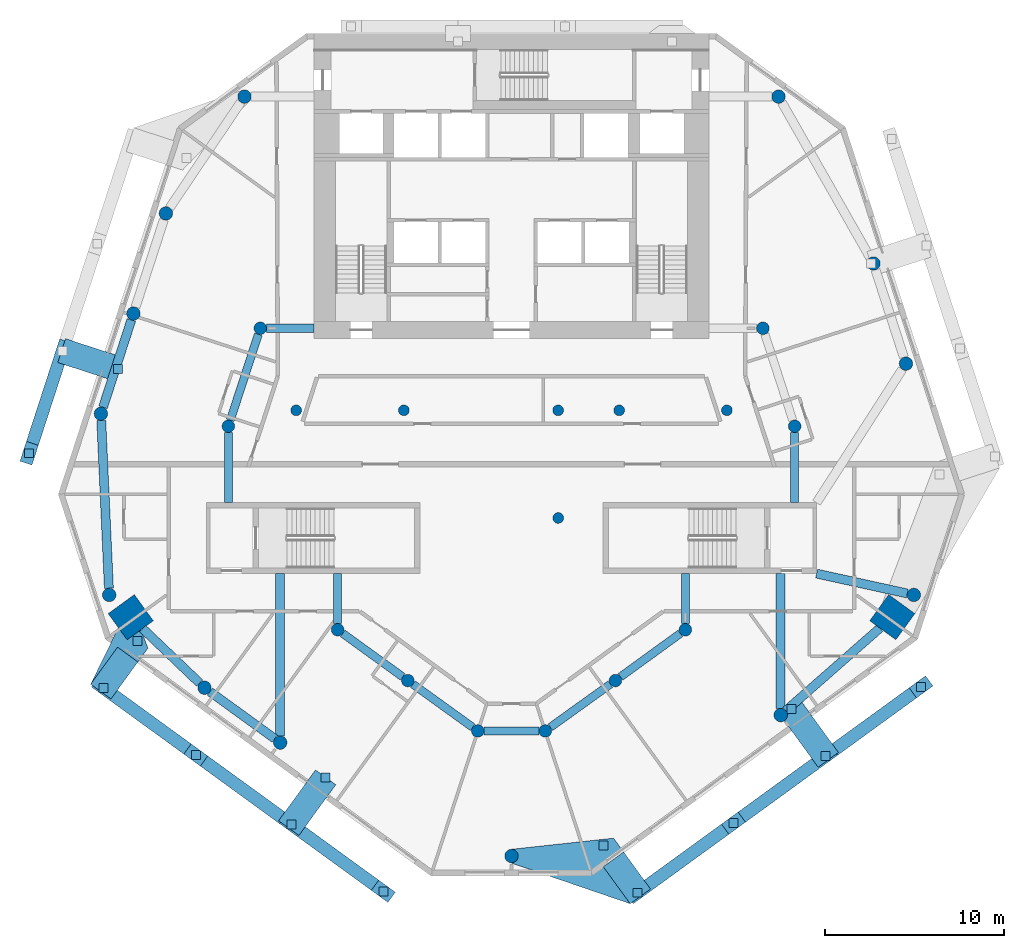
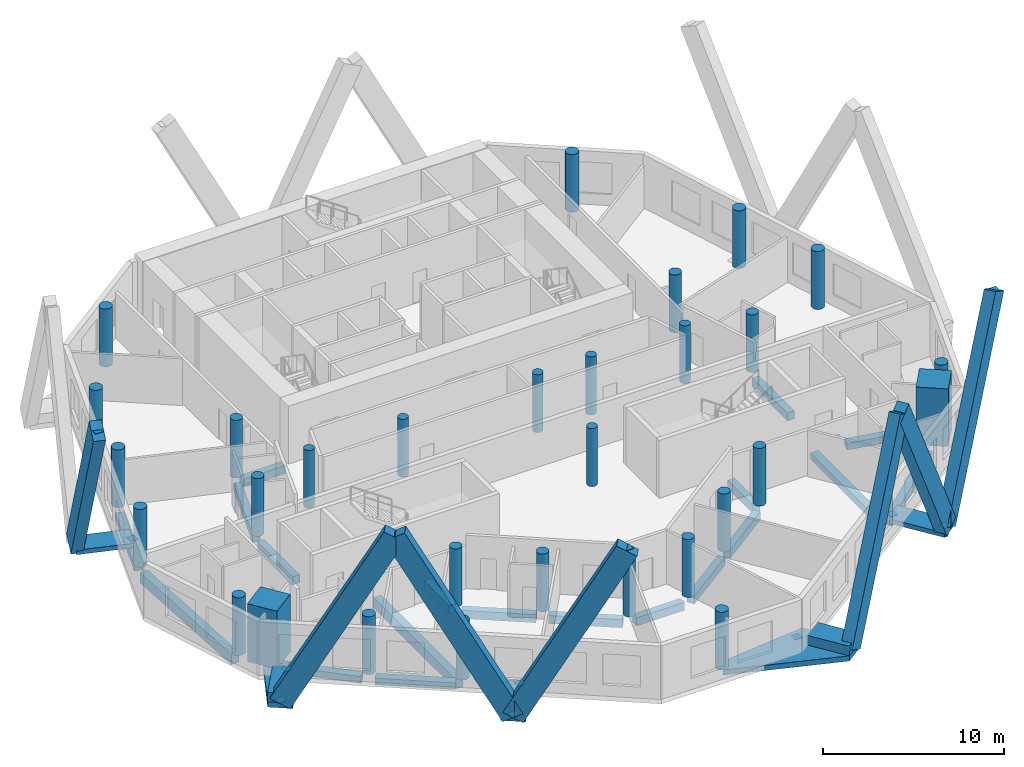
# One storey, part 1 of 10: 31 columns, 19 beams, 14 discrete accessories, 14 members.
"""IFC4 building model written with IfcOpenShell, lengths in metres."""

from ifc_helpers import new_model, si_unit, direction, frame, origin, origin_2d, place, context, subcontext, project, spatial, polyline, rectangle, circle, outline, extrude, material, layer, layer_set, material_profile, profile_set, type_object, element, aggregate, save


model = new_model("IFC4")

# Units and contexts
model_context = context("Model", 3, precision=1e-05, world=origin(), true_north=direction((0.0, 1.0)))
body_context = subcontext(model_context, "Body", "Model", "MODEL_VIEW")
ifc_project = project(units=[si_unit("LENGTHUNIT", "METRE"), si_unit("AREAUNIT", "SQUARE_METRE"), si_unit("VOLUMEUNIT", "CUBIC_METRE"), si_unit("PLANEANGLEUNIT", "RADIAN"), si_unit("MASSUNIT", "GRAM", prefix="KILO")], contexts=[model_context])

# Site, building, storey
site_placement = place(None, origin())
site = spatial("IfcSite", under=ifc_project, at=site_placement, CompositionType="ELEMENT")
building_placement = place(site_placement, origin())
building = spatial("IfcBuilding", under=site, at=building_placement, Name="White Candle Pilgrim Tower", CompositionType="ELEMENT")
storey_placement = place(building_placement, frame((0.0, 0.0, 172.0)))
storey = spatial("IfcBuildingStorey", under=building, at=storey_placement, Name="L39", CompositionType="ELEMENT", Elevation=172.0)

# Columns
ifc_material_1 = material(Name="Concrete C70/85", Category="concrete")
ifc_material_profile_1 = material_profile(ifc_material_1, circle(Radius=0.300048828125, at=origin_2d()), Name="RC-COL D600")
ifc_profile_set_1 = profile_set([ifc_material_profile_1], Name="Concrete C70/85")
column_type_1 = type_object("IfcColumnType", Name="Interior column RC-COL D600 C70/85", PredefinedType="COLUMN", material=ifc_profile_set_1)
for number, where, z_axis, x_axis, name in (
    (1, (58.0, 67.0, 0.0), (0.0, 0.0, 1.0), (1.0, 0.0, 0.0), "L39 column I01"),
    (2, (64.0, 67.0, 0.0), (0.0, 0.0, 1.0), (1.0, 0.0, 0.0), "L39 column I02"),
    (3, (72.60009765625, 61.0, 0.0), (0.0, 0.0, 1.0), (1.0, 0.0, 0.0), "L39 column I03"),
    (4, (72.60009765625, 67.0, 0.0), (0.0, 0.0, 1.0), (1.0, 0.0, 0.0), "L39 column I04"),
    (5, (76.0, 67.0, 0.0), (0.0, 0.0, 1.0), (1.0, 0.0, 0.0), "L39 column I05"),
    (6, (82.0, 67.0, 0.0), (0.0, 0.0, 1.0), (1.0, 0.0, 0.0), "L39 column I06"),
):
    element("IfcColumn", number, at=place(storey_placement, frame(where, z_axis=z_axis, x_axis=x_axis)), inside=storey, type_object=column_type_1, Name=name, PredefinedType="COLUMN", context=body_context, shape_type="SweptSolid", body=[
        extrude(circle(Radius=0.300048828125, at=origin_2d()), origin(), (0.0, 0.0, 1.0), 3.89990234375),
    ])
ifc_material_profile_2 = material_profile(ifc_material_1, rectangle(XDim=1.800048828125, YDim=1.800048828125, at=origin_2d()), Name="RC 1800x1800")
ifc_profile_set_2 = profile_set([ifc_material_profile_2], Name="Concrete C70/85")
column_type_2 = type_object("IfcColumnType", Name="Mega column RC 1800x1800 C70/85", PredefinedType="COLUMN", material=ifc_profile_set_2)
for number, where, z_axis, x_axis, name in (
    (7, (48.780029296875, 55.469970703125, 0.0), (0.0, 0.0, 1.0), (-0.809016994375, -0.587785252292, 0.0), "L39 mega column T02"),
    (8, (91.219970703125, 55.469970703125, 0.0), (0.0, 0.0, 1.0), (0.809016994375, -0.587785252292, 0.0), "L39 mega column T07"),
):
    element("IfcColumn", number, at=place(storey_placement, frame(where, z_axis=z_axis, x_axis=x_axis)), inside=storey, type_object=column_type_2, Name=name, PredefinedType="COLUMN", context=body_context, shape_type="SweptSolid", body=[
        extrude(rectangle(XDim=1.800048828125, YDim=1.800048828125, at=origin_2d()), origin(), (0.0, 0.0, 1.0), 3.89990234375),
    ])
ifc_material_profile_3 = material_profile(ifc_material_1, circle(Radius=0.375, at=origin_2d()), Name="RC-COL D750")
ifc_profile_set_3 = profile_set([ifc_material_profile_3], Name="Concrete C70/85")
column_type_3 = type_object("IfcColumnType", Name="Perimeter column RC-COL D750 C70/85", PredefinedType="COLUMN", material=ifc_profile_set_3)
for number, where, z_axis, x_axis, name in (
    (9, (47.580078125, 56.7099609375, 0.0), (0.0, 0.0, 1.0), (1.0, 0.0, 0.0), "L39 column T01"),
    (10, (52.889892578125, 51.5400390625, 0.0), (0.0, 0.0, 1.0), (1.0, 0.0, 0.0), "L39 column T03"),
    (11, (57.110107421875, 48.47998046875, 0.0), (0.0, 0.0, 1.0), (1.0, 0.0, 0.0), "L39 column T04"),
    (12, (70.0, 42.159912109375, 0.0), (0.0, 0.0, 1.0), (1.0, 0.0, 0.0), "L39 column T05"),
    (13, (85.0, 50.010009765625, 0.0), (0.0, 0.0, 1.0), (1.0, 0.0, 0.0), "L39 column T06"),
    (14, (92.419921875, 56.7099609375, 0.0), (0.0, 0.0, 1.0), (1.0, 0.0, 0.0), "L39 column T08"),
    (15, (91.97998046875, 69.60009765625, 0.0), (0.0, 0.0, 1.0), (1.0, 0.0, 0.0), "L39 column T09"),
    (16, (90.169921875, 75.179931640625, 0.0), (0.0, 0.0, 1.0), (1.0, 0.0, 0.0), "L39 column T10"),
    (17, (84.8798828125, 84.47998046875, 0.0), (0.0, 0.0, 1.0), (1.0, 0.0, 0.0), "L39 column T11"),
    (18, (55.1201171875, 84.47998046875, 0.0), (0.0, 0.0, 1.0), (1.0, 0.0, 0.0), "L39 column T12"),
    (19, (50.739990234375, 77.969970703125, 0.0), (0.0, 0.0, 1.0), (1.0, 0.0, 0.0), "L39 column T13"),
    (20, (48.929931640625, 72.389892578125, 0.0), (0.0, 0.0, 1.0), (1.0, 0.0, 0.0), "L39 column T14"),
    (21, (47.1201171875, 66.81005859375, 0.0), (0.0, 0.0, 1.0), (1.0, 0.0, 0.0), "L39 column T15"),
):
    element("IfcColumn", number, at=place(storey_placement, frame(where, z_axis=z_axis, x_axis=x_axis)), inside=storey, type_object=column_type_3, Name=name, PredefinedType="COLUMN", context=body_context, shape_type="SweptSolid", body=[
        extrude(circle(Radius=0.375, at=origin_2d()), origin(), (0.0, 0.0, 1.0), 3.89990234375),
    ])
ifc_material_profile_4 = material_profile(ifc_material_1, circle(Radius=0.35009765625, at=origin_2d()), Name="RC-COL D700")
ifc_profile_set_4 = profile_set([ifc_material_profile_4], Name="Concrete C70/85")
column_type_4 = type_object("IfcColumnType", Name="Ring column RC-COL D700 C70/85", PredefinedType="COLUMN", material=ifc_profile_set_4)
for number, where, z_axis, x_axis, name in (
    (22, (60.31005859375, 54.77001953125, 0.0), (0.0, 0.0, 1.0), (1.0, 0.0, 0.0), "L39 column R01"),
    (23, (64.219970703125, 51.93994140625, 0.0), (0.0, 0.0, 1.0), (1.0, 0.0, 0.0), "L39 column R02"),
    (24, (68.1201171875, 49.1298828125, 0.0), (0.0, 0.0, 1.0), (1.0, 0.0, 0.0), "L39 column R03"),
    (25, (71.8798828125, 49.1298828125, 0.0), (0.0, 0.0, 1.0), (1.0, 0.0, 0.0), "L39 column R04"),
    (26, (75.7900390625, 51.93994140625, 0.0), (0.0, 0.0, 1.0), (1.0, 0.0, 0.0), "L39 column R05"),
    (27, (79.68994140625, 54.77001953125, 0.0), (0.0, 0.0, 1.0), (1.0, 0.0, 0.0), "L39 column R06"),
    (28, (85.780029296875, 66.110107421875, 0.0), (0.0, 0.0, 1.0), (1.0, 0.0, 0.0), "L39 column R07"),
    (29, (84.010009765625, 71.570068359375, 0.0), (0.0, 0.0, 1.0), (1.0, 0.0, 0.0), "L39 column R08"),
    (30, (56.0, 71.570068359375, 0.0), (0.0, 0.0, 1.0), (1.0, 0.0, 0.0), "L39 column R09"),
    (31, (54.219970703125, 66.110107421875, 0.0), (0.0, 0.0, 1.0), (1.0, 0.0, 0.0), "L39 column R10"),
):
    element("IfcColumn", number, at=place(storey_placement, frame(where, z_axis=z_axis, x_axis=x_axis)), inside=storey, type_object=column_type_4, Name=name, PredefinedType="COLUMN", context=body_context, shape_type="SweptSolid", body=[
        extrude(circle(Radius=0.35009765625, at=origin_2d()), origin(), (0.0, 0.0, 1.0), 3.89990234375),
    ])

# Member
ifc_material_2 = material(Name="Concrete C70/85, white", Category="concrete")
ifc_material_profile_5 = material_profile(ifc_material_2, rectangle(XDim=0.699951171875, YDim=1.300048828125, at=origin_2d()), Name="RC-DG 700x1300")
ifc_profile_set_5 = profile_set([ifc_material_profile_5], Name="Concrete C70/85, white")
member_type_1 = type_object("IfcMemberType", Name="Exoskeleton diagonal RC-DG 700x1300 C70/85", PredefinedType="BRACE", material=ifc_profile_set_5)
member_1_placement = place(storey_placement, frame((77.03173828125, 40.114501953125, 0.0), z_axis=(0.397425653044, 0.28873611654, 0.871024859179), x_axis=(-0.587771232927, 0.809027179855, 0.0)))
member_1 = element("IfcMember", 32, at=member_1_placement, inside=storey, type_object=member_type_1, Name="Exoskeleton diagonal EX151", PredefinedType="BRACE", context=body_context, shape_type="SweptSolid", body=[
    extrude(rectangle(XDim=0.699951171875, YDim=1.300048828125, at=origin_2d()), origin(), (0.0, 0.0, 1.0), 13.432373046875),
])

member_2_placement = place(storey_placement, frame((87.504150390625, 47.722900390625, 0.0), z_axis=(-0.385723367101, -0.280235940966, 0.879025199561), x_axis=(0.587773598304, -0.809025461365, 0.0)))
member_2 = element("IfcMember", 33, at=member_2_placement, inside=storey, type_object=member_type_1, Name="Exoskeleton diagonal EX152", PredefinedType="BRACE", context=body_context, shape_type="SweptSolid", body=[
    extrude(rectangle(XDim=0.699951171875, YDim=1.300048828125, at=origin_2d()), origin(), (0.0, 0.0, 1.0), 13.31005859375),
])

member_3_placement = place(storey_placement, frame((87.504150390625, 47.722900390625, 0.0), z_axis=(0.396179874444, 0.287856262558, 0.871883179785), x_axis=(-0.587804945667, 0.809002685934, 0.0)))
member_3 = element("IfcMember", 34, at=member_3_placement, inside=storey, type_object=member_type_1, Name="Exoskeleton diagonal EX153", PredefinedType="BRACE", context=body_context, shape_type="SweptSolid", body=[
    extrude(rectangle(XDim=0.699951171875, YDim=1.300048828125, at=origin_2d()), origin(), (0.0, 0.0, 1.0), 13.419189453125),
])

member_4_placement = place(storey_placement, frame((47.259765625, 51.52734375, 0.0), z_axis=(0.386360074568, -0.280704142626, 0.878596083017), x_axis=(0.587781301557, 0.809019864738, 0.0)))
member_4 = element("IfcMember", 35, at=member_4_placement, inside=storey, type_object=member_type_1, Name="Exoskeleton diagonal EX163", PredefinedType="BRACE", context=body_context, shape_type="SweptSolid", body=[
    extrude(rectangle(XDim=0.699951171875, YDim=1.300048828125, at=origin_2d()), origin(), (0.0, 0.0, 1.0), 13.316650390625),
])

member_5_placement = place(storey_placement, frame((57.73193359375, 43.918701171875, 0.0), z_axis=(-0.396787900976, 0.288298596795, 0.87146042981), x_axis=(-0.587805685587, -0.809002148323, 0.0)))
member_5 = element("IfcMember", 36, at=member_5_placement, inside=storey, type_object=member_type_1, Name="Exoskeleton diagonal EX164", PredefinedType="BRACE", context=body_context, shape_type="SweptSolid", body=[
    extrude(rectangle(XDim=0.699951171875, YDim=1.300048828125, at=origin_2d()), origin(), (0.0, 0.0, 1.0), 13.42578125),
])

member_6_placement = place(storey_placement, frame((57.73193359375, 43.918701171875, 0.0), z_axis=(0.385099378192, -0.279781992848, 0.879443292881), x_axis=(0.587772763146, 0.809026068124, 0.0)))
member_6 = element("IfcMember", 37, at=member_6_placement, inside=storey, type_object=member_type_1, Name="Exoskeleton diagonal EX165", PredefinedType="BRACE", context=body_context, shape_type="SweptSolid", body=[
    extrude(rectangle(XDim=0.699951171875, YDim=1.300048828125, at=origin_2d()), origin(), (0.0, 0.0, 1.0), 13.3037109375),
])

member_7_placement = place(storey_placement, frame((44.97412109375, 70.311279296875, 0.0), z_axis=(-0.140972224845, -0.433909240014, 0.889859316551), x_axis=(0.951065169444, -0.308990361452, 0.0)))
member_7 = element("IfcMember", 38, at=member_7_placement, inside=storey, type_object=member_type_1, Name="Exoskeleton diagonal EX177", PredefinedType="BRACE", context=body_context, shape_type="SweptSolid", body=[
    extrude(rectangle(XDim=0.699951171875, YDim=1.300048828125, at=origin_2d()), origin(), (0.0, 0.0, 1.0), 13.148193359375),
])

ifc_layer_1 = layer(ifc_material_2, 0.300048828125)
ifc_layer_set_1 = layer_set([ifc_layer_1], Name="Node tie strut 3300x1400x300 C70/85")
member_type_2 = type_object("IfcMemberType", Name="Node tie strut 3300x1400x300 C70/85", PredefinedType="STRUT", material=ifc_layer_set_1)
member_8_placement = place(storey_placement, frame((46.495849609375, 69.81689453125, -0.2998046875), z_axis=(0.0, 0.0, 1.0), x_axis=(-0.309016994375, -0.951056516295, 0.0)))
member_8 = element("IfcMember", 39, at=member_8_placement, inside=storey, type_object=member_type_2, Name="Node tie strut NC130", PredefinedType="STRUT", context=body_context, shape_type="SweptSolid", body=[
    extrude(rectangle(XDim=1.39990234375, YDim=3.300048828125, at=origin_2d()), origin(), (0.0, 0.0, 1.0), 0.300048828125),
])

ifc_layer_2 = layer(ifc_material_2, 0.300048828125)
ifc_layer_set_2 = layer_set([ifc_layer_2], Name="Node tie strut 3500x1400x300 C70/85")
member_type_3 = type_object("IfcMemberType", Name="Node tie strut 3500x1400x300 C70/85", PredefinedType="STRUT", material=ifc_layer_set_2)
member_9_placement = place(storey_placement, frame((0.0, 0.0, -0.35009765625)))
member_9 = element("IfcMember", 40, at=member_9_placement, inside=storey, type_object=member_type_3, Name="Node tie strut NC125", PredefinedType="STRUT", context=body_context, shape_type="SweptSolid", body=[
    extrude(outline(polyline([(76.6123046875, 39.500732421875), (77.7451171875, 40.32373046875), (75.687744140625, 43.1552734375), (69.951171875, 42.53173828125), (69.9755859375, 42.5341796875), (70.0, 42.534912109375), (70.0244140625, 42.5341796875), (70.048828125, 42.53173828125), (70.0732421875, 42.52783203125), (70.09716796875, 42.522216796875), (70.12060546875, 42.51513671875), (70.1435546875, 42.506591796875), (70.166015625, 42.496337890625), (70.1875, 42.48486328125), (70.208251953125, 42.4716796875), (70.228271484375, 42.45751953125), (70.247314453125, 42.44189453125), (70.26513671875, 42.42529296875), (70.281982421875, 42.4072265625), (70.297607421875, 42.38818359375), (70.311767578125, 42.368408203125), (70.32470703125, 42.347412109375), (70.336181640625, 42.325927734375), (70.346435546875, 42.303466796875), (70.35498046875, 42.280517578125), (70.3623046875, 42.257080078125), (70.367919921875, 42.233154296875), (70.371826171875, 42.208984375), (70.374267578125, 42.1845703125), (70.375, 42.159912109375), (70.374267578125, 42.135498046875), (70.371826171875, 42.111083984375), (70.367919921875, 42.0869140625), (70.3623046875, 42.06298828125), (70.35498046875, 42.03955078125), (70.346435546875, 42.0166015625), (70.336181640625, 41.994140625), (70.32470703125, 41.972412109375), (70.311767578125, 41.95166015625), (70.297607421875, 41.931640625), (70.281982421875, 41.91259765625), (70.26513671875, 41.894775390625), (70.247314453125, 41.878173828125), (70.228271484375, 41.862548828125), (70.208251953125, 41.84814453125), (70.1875, 41.835205078125), (70.166015625, 41.82373046875), (70.1435546875, 41.8134765625), (70.12060546875, 41.804931640625), (70.09716796875, 41.7978515625), (70.0732421875, 41.792236328125), (70.048828125, 41.7880859375), (70.0244140625, 41.785888671875), (70.0, 41.784912109375), (69.9755859375, 41.785888671875), (69.951171875, 41.7880859375), (69.9267578125, 41.792236328125), (69.90283203125, 41.7978515625), (69.87939453125, 41.804931640625), (76.6123046875, 39.500732421875)])), origin(), (0.0, 0.0, 1.0), 0.35009765625),
])

member_10_placement = place(storey_placement, origin())
element("IfcMember", 41, at=member_10_placement, inside=storey, type_object=member_type_3, Name="Node tie strut NC125", PredefinedType="STRUT", context=body_context, shape_type="SweptSolid", body=[
    extrude(outline(polyline([(76.6123046875, 39.500732421875), (77.7451171875, 40.32373046875), (76.24609375, 42.38671875), (75.113525390625, 41.563720703125), (76.6123046875, 39.500732421875)])), origin(), (0.0, 0.0, 1.0), 0.64990234375),
])

member_11_placement = place(storey_placement, frame((86.622314453125, 48.9365234375, -0.2998046875), z_axis=(0.0, 0.0, 1.0), x_axis=(0.809016994375, 0.587785252292, 0.0)))
member_11 = element("IfcMember", 42, at=member_11_placement, inside=storey, type_object=member_type_3, Name="Node tie strut NC126", PredefinedType="STRUT", context=body_context, shape_type="SweptSolid", body=[
    extrude(rectangle(XDim=1.39990234375, YDim=3.5, at=origin_2d()), origin(), (0.0, 0.0, 1.0), 0.300048828125),
])

member_12_placement = place(storey_placement, frame((0.0, 0.0, -0.35009765625)))
member_12 = element("IfcMember", 43, at=member_12_placement, inside=storey, type_object=member_type_3, Name="Node tie strut NC127", PredefinedType="STRUT", context=body_context, shape_type="SweptSolid", body=[
    extrude(outline(polyline([(47.67919921875, 50.91357421875), (49.736328125, 53.7451171875), (49.34716796875, 54.76953125), (48.580810546875, 54.212890625), (48.092529296875, 54.885009765625), (46.54638671875, 51.736572265625), (47.67919921875, 50.91357421875)])), origin(), (0.0, 0.0, 1.0), 0.35009765625),
])

member_13_placement = place(storey_placement, origin())
element("IfcMember", 44, at=member_13_placement, inside=storey, type_object=member_type_3, Name="Node tie strut NC127", PredefinedType="STRUT", context=body_context, shape_type="SweptSolid", body=[
    extrude(outline(polyline([(47.67919921875, 50.91357421875), (49.177978515625, 52.9765625), (48.04541015625, 53.799560546875), (46.54638671875, 51.736572265625), (47.67919921875, 50.91357421875)])), origin(), (0.0, 0.0, 1.0), 0.64990234375),
])

member_14_placement = place(storey_placement, frame((58.61376953125, 45.13232421875, -0.2998046875), z_axis=(0.0, 0.0, 1.0), x_axis=(0.809016994375, -0.587785252292, 0.0)))
member_14 = element("IfcMember", 45, at=member_14_placement, inside=storey, type_object=member_type_3, Name="Node tie strut NC128", PredefinedType="STRUT", context=body_context, shape_type="SweptSolid", body=[
    extrude(rectangle(XDim=1.39990234375, YDim=3.5, at=origin_2d()), origin(), (0.0, 0.0, 1.0), 0.300048828125),
])

# Beams
ifc_material_3 = material(Name="Concrete C50/60", Category="concrete")
ifc_material_profile_6 = material_profile(ifc_material_3, rectangle(XDim=0.449951171875, YDim=0.550048828125, at=origin_2d()), Name="RC-BM 450x550")
ifc_profile_set_6 = profile_set([ifc_material_profile_6], Name="Concrete C50/60")
beam_type_1 = type_object("IfcBeamType", Name="Ring beam RC-BM 450x550 C50/60", PredefinedType="BEAM", material=ifc_profile_set_6)
beam_1_placement = place(storey_placement, frame((60.593505859375, 54.56494140625, -0.574951171875), z_axis=(0.810043858436, -0.586369292691, 0.0), x_axis=(0.586369292691, 0.810043858436, 0.0)))
element("IfcBeam", 46, at=beam_1_placement, inside=storey, type_object=beam_type_1, Name="L39 ring beam R01", PredefinedType="BEAM", context=body_context, shape_type="SweptSolid", body=[
    extrude(rectangle(XDim=0.449951171875, YDim=0.550048828125, at=origin_2d()), origin(), (0.0, 0.0, 1.0), 4.126953125),
])
beam_2_placement = place(storey_placement, frame((64.50390625, 51.735595703125, -0.574951171875), z_axis=(0.811316688041, -0.584606903574, 0.0), x_axis=(0.584606903574, 0.811316688041, 0.0)))
element("IfcBeam", 47, at=beam_2_placement, inside=storey, type_object=beam_type_1, Name="L39 ring beam R02", PredefinedType="BEAM", context=body_context, shape_type="SweptSolid", body=[
    extrude(rectangle(XDim=0.449951171875, YDim=0.550048828125, at=origin_2d()), origin(), (0.0, 0.0, 1.0), 4.107177734375),
])
beam_3_placement = place(storey_placement, frame((68.469970703125, 49.1298828125, -0.574951171875), z_axis=(1.0, 0.0, 0.0), x_axis=(0.0, 1.0, 0.0)))
element("IfcBeam", 48, at=beam_3_placement, inside=storey, type_object=beam_type_1, Name="L39 ring beam R03", PredefinedType="BEAM", context=body_context, shape_type="SweptSolid", body=[
    extrude(rectangle(XDim=0.449951171875, YDim=0.550048828125, at=origin_2d()), origin(), (0.0, 0.0, 1.0), 3.06005859375),
])
beam_4_placement = place(storey_placement, frame((72.1640625, 49.333984375, -0.574951171875), z_axis=(0.812022399974, 0.583626269063, 0.0), x_axis=(-0.583626269063, 0.812022399974, 0.0)))
element("IfcBeam", 49, at=beam_4_placement, inside=storey, type_object=beam_type_1, Name="L39 ring beam R04", PredefinedType="BEAM", context=body_context, shape_type="SweptSolid", body=[
    extrude(rectangle(XDim=0.449951171875, YDim=0.550048828125, at=origin_2d()), origin(), (0.0, 0.0, 1.0), 4.115478515625),
])
beam_5_placement = place(storey_placement, frame((76.072998046875, 52.1455078125, -0.574951171875), z_axis=(0.809401961177, 0.587255025728, 0.0), x_axis=(-0.587255025728, 0.809401961177, 0.0)))
element("IfcBeam", 50, at=beam_5_placement, inside=storey, type_object=beam_type_1, Name="L39 ring beam R05", PredefinedType="BEAM", context=body_context, shape_type="SweptSolid", body=[
    extrude(rectangle(XDim=0.449951171875, YDim=0.550048828125, at=origin_2d()), origin(), (0.0, 0.0, 1.0), 4.119140625),
])
beam_6_placement = place(storey_placement, frame((79.68994140625, 55.1201171875, -0.574951171875), z_axis=(0.0, 1.0, 0.0), x_axis=(-1.0, 0.0, 0.0)))
element("IfcBeam", 51, at=beam_6_placement, inside=storey, type_object=beam_type_1, Name="L39 ring beam R06", PredefinedType="BEAM", context=body_context, shape_type="SweptSolid", body=[
    extrude(rectangle(XDim=0.449951171875, YDim=0.550048828125, at=origin_2d()), origin(), (0.0, 0.0, 1.0), 2.77978515625),
])
beam_7_placement = place(storey_placement, frame((85.780029296875, 65.760009765625, -0.574951171875), z_axis=(0.0, -1.0, 0.0), x_axis=(1.0, 0.0, 0.0)))
element("IfcBeam", 52, at=beam_7_placement, inside=storey, type_object=beam_type_1, Name="L39 ring beam R07", PredefinedType="BEAM", context=body_context, shape_type="SweptSolid", body=[
    extrude(rectangle(XDim=0.449951171875, YDim=0.550048828125, at=origin_2d()), origin(), (0.0, 0.0, 1.0), 3.909912109375),
])
beam_8_placement = place(storey_placement, frame((56.35009765625, 71.570068359375, -0.574951171875), z_axis=(1.0, 0.0, 0.0), x_axis=(0.0, 1.0, 0.0)))
element("IfcBeam", 53, at=beam_8_placement, inside=storey, type_object=beam_type_1, Name="L39 ring beam R10", PredefinedType="BEAM", context=body_context, shape_type="SweptSolid", body=[
    extrude(rectangle(XDim=0.449951171875, YDim=0.550048828125, at=origin_2d()), origin(), (0.0, 0.0, 1.0), 2.64990234375),
])
beam_9_placement = place(storey_placement, frame((55.8916015625, 71.2373046875, -0.574951171875), z_axis=(-0.309975890104, -0.950744417577, 0.0), x_axis=(0.950744417577, -0.309975890104, 0.0)))
element("IfcBeam", 54, at=beam_9_placement, inside=storey, type_object=beam_type_1, Name="L39 ring beam R11", PredefinedType="BEAM", context=body_context, shape_type="SweptSolid", body=[
    extrude(rectangle(XDim=0.449951171875, YDim=0.550048828125, at=origin_2d()), origin(), (0.0, 0.0, 1.0), 5.04296875),
])
beam_10_placement = place(storey_placement, frame((54.219970703125, 65.760009765625, -0.574951171875), z_axis=(0.0, -1.0, 0.0), x_axis=(1.0, 0.0, 0.0)))
element("IfcBeam", 55, at=beam_10_placement, inside=storey, type_object=beam_type_1, Name="L39 ring beam R12", PredefinedType="BEAM", context=body_context, shape_type="SweptSolid", body=[
    extrude(rectangle(XDim=0.449951171875, YDim=0.550048828125, at=origin_2d()), origin(), (0.0, 0.0, 1.0), 3.909912109375),
])
beam_11_placement = place(storey_placement, frame((60.31005859375, 55.1201171875, -0.574951171875), z_axis=(0.0, 1.0, 0.0), x_axis=(-1.0, 0.0, 0.0)))
element("IfcBeam", 56, at=beam_11_placement, inside=storey, type_object=beam_type_1, Name="L39 ring beam R13", PredefinedType="BEAM", context=body_context, shape_type="SweptSolid", body=[
    extrude(rectangle(XDim=0.449951171875, YDim=0.550048828125, at=origin_2d()), origin(), (0.0, 0.0, 1.0), 2.77978515625),
])
ifc_material_profile_7 = material_profile(ifc_material_3, rectangle(XDim=0.5, YDim=0.449951171875, at=origin_2d()), Name="RC-BM 500x450")
ifc_profile_set_7 = profile_set([ifc_material_profile_7], Name="Concrete C50/60")
beam_type_2 = type_object("IfcBeamType", Name="Spandrel beam RC-BM 500x450 C50/60", PredefinedType="BEAM", material=ifc_profile_set_7)
beam_12_placement = place(storey_placement, frame((49.441162109375, 54.837890625, -0.52490234375), z_axis=(0.722753991569, -0.691105395487, 0.0), x_axis=(0.691105395487, 0.722753991569, 0.0)))
element("IfcBeam", 57, at=beam_12_placement, inside=storey, type_object=beam_type_2, Name="L39 spandrel beam T01", PredefinedType="BEAM", context=body_context, shape_type="SweptSolid", body=[
    extrude(rectangle(XDim=0.5, YDim=0.449951171875, at=origin_2d()), origin(), (0.0, 0.0, 1.0), 4.39697265625),
])
beam_13_placement = place(storey_placement, frame((53.193359375, 51.320068359375, -0.52490234375), z_axis=(0.809558451789, -0.587039277338, 0.0), x_axis=(0.587039277338, 0.809558451789, 0.0)))
element("IfcBeam", 58, at=beam_13_placement, inside=storey, type_object=beam_type_2, Name="L39 spandrel beam T02", PredefinedType="BEAM", context=body_context, shape_type="SweptSolid", body=[
    extrude(rectangle(XDim=0.5, YDim=0.449951171875, at=origin_2d()), origin(), (0.0, 0.0, 1.0), 4.46337890625),
])
beam_14_placement = place(storey_placement, frame((85.0, 50.385009765625, -0.52490234375), z_axis=(0.0, 1.0, 0.0), x_axis=(-1.0, 0.0, 0.0)))
element("IfcBeam", 59, at=beam_14_placement, inside=storey, type_object=beam_type_2, Name="L39 spandrel beam T04", PredefinedType="BEAM", context=body_context, shape_type="SweptSolid", body=[
    extrude(rectangle(XDim=0.5, YDim=0.449951171875, at=origin_2d()), origin(), (0.0, 0.0, 1.0), 7.514892578125),
])
beam_15_placement = place(storey_placement, frame((85.28173828125, 50.25732421875, -0.52490234375), z_axis=(0.751529055224, 0.65969999178, 0.0), x_axis=(-0.65969999178, 0.751529055224, 0.0)))
element("IfcBeam", 60, at=beam_15_placement, inside=storey, type_object=beam_type_2, Name="L39 spandrel beam T05", PredefinedType="BEAM", context=body_context, shape_type="SweptSolid", body=[
    extrude(rectangle(XDim=0.5, YDim=0.449951171875, at=origin_2d()), origin(), (0.0, 0.0, 1.0), 6.97900390625),
])
beam_16_placement = place(storey_placement, frame((92.053955078125, 56.790283203125, -0.52490234375), z_axis=(-0.976735666267, 0.214446819148, 0.0), x_axis=(-0.214446819148, -0.976735666267, 0.0)))
element("IfcBeam", 61, at=beam_16_placement, inside=storey, type_object=beam_type_2, Name="L39 spandrel beam T06", PredefinedType="BEAM", context=body_context, shape_type="SweptSolid", body=[
    extrude(rectangle(XDim=0.5, YDim=0.449951171875, at=origin_2d()), origin(), (0.0, 0.0, 1.0), 5.17431640625),
])
beam_17_placement = place(storey_placement, frame((48.814208984375, 72.033447265625, -0.52490234375), z_axis=(-0.308530369215, -0.951214492779, 0.0), x_axis=(0.951214492779, -0.308530369215, 0.0)))
element("IfcBeam", 62, at=beam_17_placement, inside=storey, type_object=beam_type_2, Name="L39 spandrel beam T14", PredefinedType="BEAM", context=body_context, shape_type="SweptSolid", body=[
    extrude(rectangle(XDim=0.5, YDim=0.449951171875, at=origin_2d()), origin(), (0.0, 0.0, 1.0), 5.116455078125),
])
ifc_material_profile_8 = material_profile(ifc_material_3, rectangle(XDim=0.5, YDim=0.699951171875, at=origin_2d()), Name="RC-BM 500x700")
ifc_profile_set_8 = profile_set([ifc_material_profile_8], Name="Concrete C50/60")
beam_type_3 = type_object("IfcBeamType", Name="Spandrel beam RC-BM 500x700 C50/60", PredefinedType="BEAM", material=ifc_profile_set_8)
beam_18_placement = place(storey_placement, frame((57.110107421875, 48.85498046875, -0.64990234375), z_axis=(0.0, 1.0, 0.0), x_axis=(-1.0, 0.0, 0.0)))
element("IfcBeam", 63, at=beam_18_placement, inside=storey, type_object=beam_type_3, Name="L39 spandrel beam T03", PredefinedType="BEAM", context=body_context, shape_type="SweptSolid", body=[
    extrude(rectangle(XDim=0.5, YDim=0.699951171875, at=origin_2d()), origin(), (0.0, 0.0, 1.0), 9.044921875),
])
beam_19_placement = place(storey_placement, frame((47.13720703125, 66.435546875, -0.64990234375), z_axis=(0.045485743277, -0.998964987954, 0.0), x_axis=(0.998964987954, 0.045485743277, 0.0)))
element("IfcBeam", 64, at=beam_19_placement, inside=storey, type_object=beam_type_3, Name="L39 spandrel beam T15", PredefinedType="BEAM", context=body_context, shape_type="SweptSolid", body=[
    extrude(rectangle(XDim=0.5, YDim=0.699951171875, at=origin_2d()), origin(), (0.0, 0.0, 1.0), 9.36083984375),
])

# Discrete accessory
ifc_material_4 = material(Name="Steel S355", Category="steel")
ifc_layer_3 = layer(ifc_material_4, 0.02490234375)
ifc_layer_set_3 = layer_set([ifc_layer_3], Name="Gusset plate 500x500x25 S355")
discrete_accessory_type = type_object("IfcDiscreteAccessoryType", Name="Gusset plate 500x500x25 S355", PredefinedType="BRACKET", material=ifc_layer_set_3)
discrete_accessory_1_placement = place(storey_placement, frame((77.03173828125, 40.114501953125, -0.012451171875), z_axis=(0.0, 0.0, 1.0), x_axis=(1.0, 0.0, 0.0)))
discrete_accessory_1 = element("IfcDiscreteAccessory", 65, at=discrete_accessory_1_placement, type_object=discrete_accessory_type, Name="Gusset plate 0169", PredefinedType="BRACKET", context=body_context, shape_type="SweptSolid", body=[
    extrude(rectangle(XDim=0.5, YDim=0.5, at=origin_2d()), origin(), (0.0, 0.0, 1.0), 0.02490234375),
])

placement = place(building_placement, frame((0.0, 0.0, 183.699951171875)))
discrete_accessory_2_placement = place(placement, frame((82.3701171875, 43.992919921875, -0.012451171875), z_axis=(0.0, 0.0, 1.0), x_axis=(1.0, 0.0, 0.0)))
discrete_accessory_2 = element("IfcDiscreteAccessory", 66, at=discrete_accessory_2_placement, type_object=discrete_accessory_type, Name="Gusset plate 0170", PredefinedType="BRACKET", context=body_context, shape_type="SweptSolid", body=[
    extrude(rectangle(XDim=0.5, YDim=0.5, at=origin_2d()), origin(), (0.0, 0.0, 1.0), 0.02490234375),
])

aggregate(member_1, [discrete_accessory_1, discrete_accessory_2])

discrete_accessory_3_placement = place(storey_placement, frame((87.504150390625, 47.722900390625, -0.012451171875), z_axis=(0.0, 0.0, 1.0), x_axis=(1.0, 0.0, 0.0)))
discrete_accessory_3 = element("IfcDiscreteAccessory", 67, at=discrete_accessory_3_placement, type_object=discrete_accessory_type, Name="Gusset plate 0171", PredefinedType="BRACKET", context=body_context, shape_type="SweptSolid", body=[
    extrude(rectangle(XDim=0.5, YDim=0.5, at=origin_2d()), origin(), (0.0, 0.0, 1.0), 0.02490234375),
])

aggregate(member_2, [discrete_accessory_3])

discrete_accessory_4_placement = place(placement, frame((92.820556640625, 51.585693359375, -0.012451171875), z_axis=(0.0, 0.0, 1.0), x_axis=(1.0, 0.0, 0.0)))
discrete_accessory_4 = element("IfcDiscreteAccessory", 68, at=discrete_accessory_4_placement, type_object=discrete_accessory_type, Name="Gusset plate 0172", PredefinedType="BRACKET", context=body_context, shape_type="SweptSolid", body=[
    extrude(rectangle(XDim=0.5, YDim=0.5, at=origin_2d()), origin(), (0.0, 0.0, 1.0), 0.02490234375),
])

aggregate(member_3, [discrete_accessory_4])

discrete_accessory_5_placement = place(storey_placement, frame((47.259765625, 51.52734375, -0.012451171875), z_axis=(0.0, 0.0, 1.0), x_axis=(1.0, 0.0, 0.0)))
discrete_accessory_5 = element("IfcDiscreteAccessory", 69, at=discrete_accessory_5_placement, type_object=discrete_accessory_type, Name="Gusset plate 0185", PredefinedType="BRACKET", context=body_context, shape_type="SweptSolid", body=[
    extrude(rectangle(XDim=0.5, YDim=0.5, at=origin_2d()), origin(), (0.0, 0.0, 1.0), 0.02490234375),
])

discrete_accessory_6_placement = place(placement, frame((52.40478515625, 47.789306640625, -0.012451171875), z_axis=(0.0, 0.0, 1.0), x_axis=(1.0, 0.0, 0.0)))
discrete_accessory_6 = element("IfcDiscreteAccessory", 70, at=discrete_accessory_6_placement, type_object=discrete_accessory_type, Name="Gusset plate 0186", PredefinedType="BRACKET", context=body_context, shape_type="SweptSolid", body=[
    extrude(rectangle(XDim=0.5, YDim=0.5, at=origin_2d()), origin(), (0.0, 0.0, 1.0), 0.02490234375),
])

aggregate(member_4, [discrete_accessory_5, discrete_accessory_6])

discrete_accessory_7_placement = place(storey_placement, frame((57.73193359375, 43.918701171875, -0.012451171875), z_axis=(0.0, 0.0, 1.0), x_axis=(1.0, 0.0, 0.0)))
discrete_accessory_7 = element("IfcDiscreteAccessory", 71, at=discrete_accessory_7_placement, type_object=discrete_accessory_type, Name="Gusset plate 0187", PredefinedType="BRACKET", context=body_context, shape_type="SweptSolid", body=[
    extrude(rectangle(XDim=0.5, YDim=0.5, at=origin_2d()), origin(), (0.0, 0.0, 1.0), 0.02490234375),
])

aggregate(member_5, [discrete_accessory_7])

discrete_accessory_8_placement = place(placement, frame((62.855224609375, 40.196533203125, -0.012451171875), z_axis=(0.0, 0.0, 1.0), x_axis=(1.0, 0.0, 0.0)))
discrete_accessory_8 = element("IfcDiscreteAccessory", 72, at=discrete_accessory_8_placement, type_object=discrete_accessory_type, Name="Gusset plate 0188", PredefinedType="BRACKET", context=body_context, shape_type="SweptSolid", body=[
    extrude(rectangle(XDim=0.5, YDim=0.5, at=origin_2d()), origin(), (0.0, 0.0, 1.0), 0.02490234375),
])

aggregate(member_6, [discrete_accessory_8])

discrete_accessory_9_placement = place(placement, frame((43.12060546875, 64.606201171875, -0.012451171875), z_axis=(0.0, 0.0, 1.0), x_axis=(1.0, 0.0, 0.0)))
discrete_accessory_9 = element("IfcDiscreteAccessory", 73, at=discrete_accessory_9_placement, type_object=discrete_accessory_type, Name="Gusset plate 0202", PredefinedType="BRACKET", context=body_context, shape_type="SweptSolid", body=[
    extrude(rectangle(XDim=0.5, YDim=0.5, at=origin_2d()), origin(), (0.0, 0.0, 1.0), 0.02490234375),
])

aggregate(member_7, [discrete_accessory_9])

discrete_accessory_10_placement = place(storey_placement, frame((75.12158203125, 42.743896484375, -0.162353515625), z_axis=(0.0, 0.0, 1.0), x_axis=(1.0, 0.0, 0.0)))
discrete_accessory_10 = element("IfcDiscreteAccessory", 74, at=discrete_accessory_10_placement, type_object=discrete_accessory_type, Name="Gusset plate 0506", PredefinedType="BRACKET", context=body_context, shape_type="SweptSolid", body=[
    extrude(rectangle(XDim=0.5, YDim=0.5, at=origin_2d()), origin(), (0.0, 0.0, 1.0), 0.02490234375),
])

aggregate(member_9, [discrete_accessory_10])

discrete_accessory_11_placement = place(storey_placement, frame((85.59375, 50.352294921875, -0.162353515625), z_axis=(0.0, 0.0, 1.0), x_axis=(1.0, 0.0, 0.0)))
discrete_accessory_11 = element("IfcDiscreteAccessory", 75, at=discrete_accessory_11_placement, type_object=discrete_accessory_type, Name="Gusset plate 0507", PredefinedType="BRACKET", context=body_context, shape_type="SweptSolid", body=[
    extrude(rectangle(XDim=0.5, YDim=0.5, at=origin_2d()), origin(), (0.0, 0.0, 1.0), 0.02490234375),
])

aggregate(member_11, [discrete_accessory_11])

discrete_accessory_12_placement = place(storey_placement, frame((49.169921875, 54.156494140625, -0.162353515625), z_axis=(0.0, 0.0, 1.0), x_axis=(1.0, 0.0, 0.0)))
discrete_accessory_12 = element("IfcDiscreteAccessory", 76, at=discrete_accessory_12_placement, type_object=discrete_accessory_type, Name="Gusset plate 0508", PredefinedType="BRACKET", context=body_context, shape_type="SweptSolid", body=[
    extrude(rectangle(XDim=0.5, YDim=0.5, at=origin_2d()), origin(), (0.0, 0.0, 1.0), 0.02490234375),
])

aggregate(member_12, [discrete_accessory_12])

discrete_accessory_13_placement = place(storey_placement, frame((59.642333984375, 46.548095703125, -0.162353515625), z_axis=(0.0, 0.0, 1.0), x_axis=(1.0, 0.0, 0.0)))
discrete_accessory_13 = element("IfcDiscreteAccessory", 77, at=discrete_accessory_13_placement, type_object=discrete_accessory_type, Name="Gusset plate 0509", PredefinedType="BRACKET", context=body_context, shape_type="SweptSolid", body=[
    extrude(rectangle(XDim=0.5, YDim=0.5, at=origin_2d()), origin(), (0.0, 0.0, 1.0), 0.02490234375),
])

aggregate(member_14, [discrete_accessory_13])

discrete_accessory_14_placement = place(storey_placement, frame((48.065185546875, 69.306884765625, -0.162353515625), z_axis=(0.0, 0.0, 1.0), x_axis=(1.0, 0.0, 0.0)))
discrete_accessory_14 = element("IfcDiscreteAccessory", 78, at=discrete_accessory_14_placement, type_object=discrete_accessory_type, Name="Gusset plate 0511", PredefinedType="BRACKET", context=body_context, shape_type="SweptSolid", body=[
    extrude(rectangle(XDim=0.5, YDim=0.5, at=origin_2d()), origin(), (0.0, 0.0, 1.0), 0.02490234375),
])

aggregate(member_8, [discrete_accessory_14])

save(model, "model.ifc")
